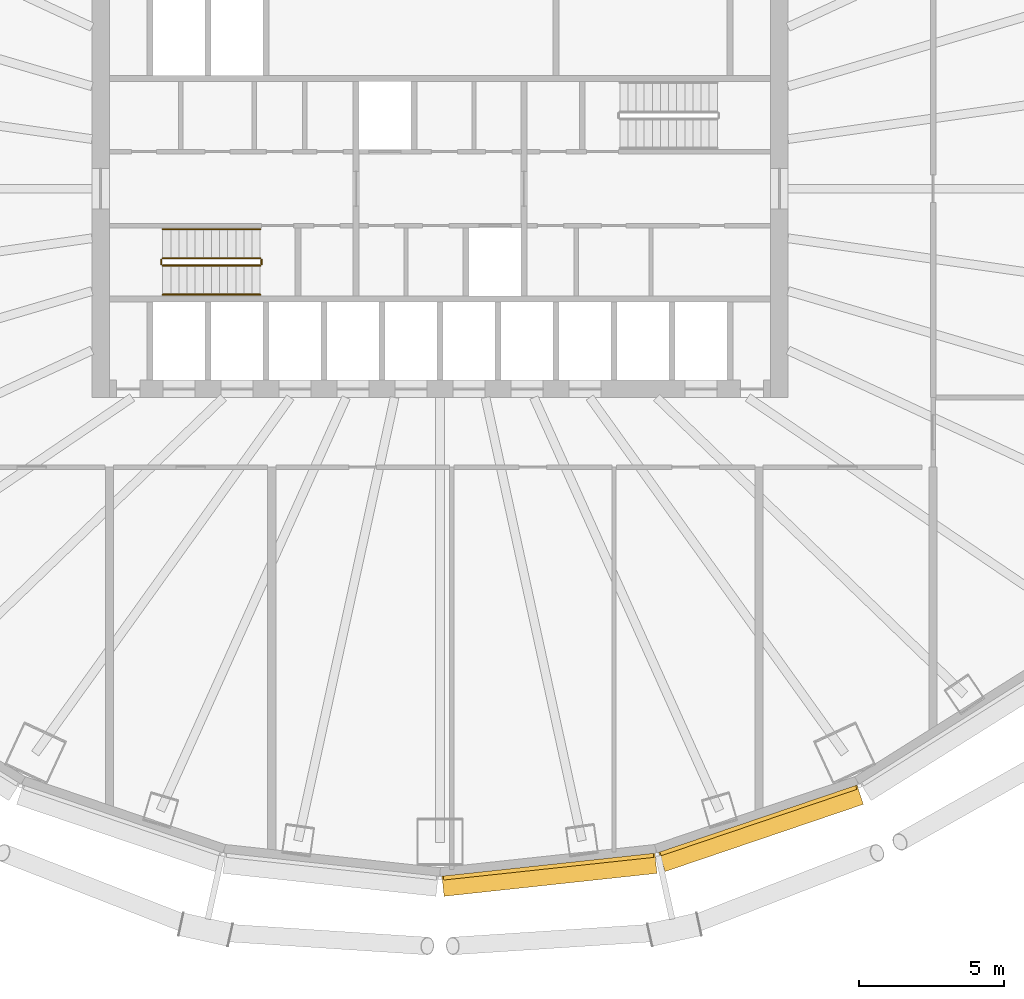
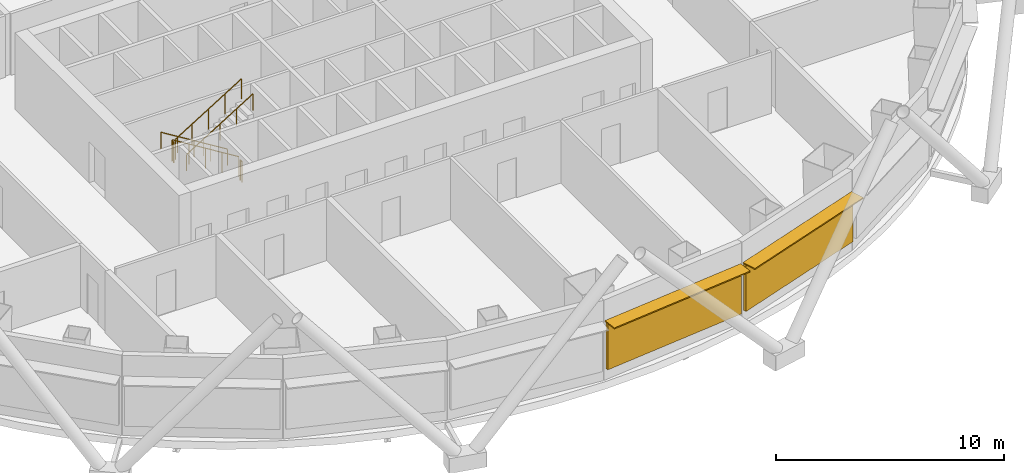
# One storey, part 12 of 14: 6 railings, 4 shading devices.
"""IFC4 building model written with IfcOpenShell, lengths in metres."""

from ifc_helpers import new_model, si_unit, direction, frame, origin, origin_2d, place, context, subcontext, project, spatial, rectangle, circle, extrude, material, layer, layer_set, type_object, element, save


model = new_model("IFC4")

# Units and contexts
model_context = context("Model", 3, precision=1e-05, world=origin(), true_north=direction((0.0, 1.0)))
body_context = subcontext(model_context, "Body", "Model", "MODEL_VIEW")
ifc_project = project(units=[si_unit("LENGTHUNIT", "METRE"), si_unit("AREAUNIT", "SQUARE_METRE"), si_unit("VOLUMEUNIT", "CUBIC_METRE"), si_unit("PLANEANGLEUNIT", "RADIAN"), si_unit("MASSUNIT", "GRAM", prefix="KILO")], contexts=[model_context])

# Site, building, storey
site_placement = place(None, origin())
site = spatial("IfcSite", under=ifc_project, at=site_placement, CompositionType="ELEMENT")
building_placement = place(site_placement, origin())
building = spatial("IfcBuilding", under=site, at=building_placement, Name="Siaravel Broadcast Tower", CompositionType="ELEMENT")
storey_placement = place(building_placement, frame((0.0, 0.0, 20.0)))
storey = spatial("IfcBuildingStorey", under=building, at=storey_placement, Name="L03", CompositionType="ELEMENT", Elevation=20.0)

# Shading devices
ifc_material_1 = material(Name="Bronze anodised aluminium", Category="aluminium")
ifc_layer_1 = layer(ifc_material_1, 0.06005859375)
ifc_layer_set_1 = layer_set([ifc_layer_1], Name="Bronze anodised aluminium")
shading_device_type_1 = type_object("IfcShadingDeviceType", Name="Brise-soleil band", PredefinedType="USERDEFINED", material=ifc_layer_set_1)
shading_device_1_placement = place(storey_placement, frame((3.772705078125, -23.652099609375, 3.1298828125), z_axis=(0.0, 0.0, 1.0), x_axis=(0.994235667, 0.107216783, 0.0)))
element("IfcShadingDevice", 1, at=shading_device_1_placement, inside=storey, type_object=shading_device_type_1, Name="L03 brise-soleil band 19", ObjectType="SUNSHADE", PredefinedType="USERDEFINED", context=body_context, shape_type="SweptSolid", body=[
    extrude(rectangle(XDim=7.3818359375, YDim=0.699951171875, at=origin_2d()), origin(), (0.0, 0.0, 1.0), 0.06005859375),
])
shading_device_2_placement = place(storey_placement, frame((11.06494140625, -22.051513671875, 3.1298828125), z_axis=(0.0, 0.0, 1.0), x_axis=(0.946977245, 0.321300635, 0.0)))
element("IfcShadingDevice", 2, at=shading_device_2_placement, inside=storey, type_object=shading_device_type_1, Name="L03 brise-soleil band 20", ObjectType="SUNSHADE", PredefinedType="USERDEFINED", context=body_context, shape_type="SweptSolid", body=[
    extrude(rectangle(XDim=7.220703125, YDim=0.699951171875, at=origin_2d()), origin(), (0.0, 0.0, 1.0), 0.06005859375),
])
ifc_material_2 = material(Name="Precast concrete C40/50", Category="concrete")
ifc_layer_2 = layer(ifc_material_2, 0.139892578125)
ifc_layer_set_2 = layer_set([ifc_layer_2], Name="Precast concrete C40/50")
shading_device_type_2 = type_object("IfcShadingDeviceType", Name="Cobogo screen", PredefinedType="USERDEFINED", material=ifc_layer_set_2)
shading_device_3_placement = place(storey_placement, frame((3.74267578125, -23.373779296875, 0.60009765625), z_axis=(0.0, 0.0, 1.0), x_axis=(0.994235667, 0.107216783, 0.0)))
element("IfcShadingDevice", 3, at=shading_device_3_placement, inside=storey, type_object=shading_device_type_2, Name="L03 cobogo screen 19", ObjectType="SCREEN", PredefinedType="USERDEFINED", context=body_context, shape_type="SweptSolid", body=[
    extrude(rectangle(XDim=7.28173828125, YDim=0.139892578125, at=origin_2d()), origin(), (0.0, 0.0, 1.0), 2.5),
])
shading_device_4_placement = place(storey_placement, frame((10.97509765625, -21.786376953125, 0.60009765625), z_axis=(0.0, 0.0, 1.0), x_axis=(0.946977245, 0.321300635, 0.0)))
element("IfcShadingDevice", 4, at=shading_device_4_placement, inside=storey, type_object=shading_device_type_2, Name="L03 cobogo screen 20", ObjectType="SCREEN", PredefinedType="USERDEFINED", context=body_context, shape_type="SweptSolid", body=[
    extrude(rectangle(XDim=7.12060546875, YDim=0.139892578125, at=origin_2d()), origin(), (0.0, 0.0, 1.0), 2.5),
])

# Railings
ifc_material_3 = material(Name="Stainless steel 316L", Category="steel")
railing_type_1 = type_object("IfcRailingType", Name="Stair guard 1100", PredefinedType="GUARDRAIL", material=ifc_material_3)
railing_1_placement = place(storey_placement, frame((-6.199951171875, -2.39990234375, 0.173095703125)))
element("IfcRailing", 5, at=railing_1_placement, inside=storey, type_object=railing_type_1, Name="L03 ST-1 stair guard 1", PredefinedType="GUARDRAIL", context=body_context, shape_type="SweptSolid", body=[
    extrude(circle(Radius=0.02392578125, at=origin_2d()), frame((0.0, 0.0, 1.076171875), z_axis=(-0.850623217, 0.0, 0.525775754), x_axis=(0.0, -1.0, 0.0)), (0.0, 0.0, 1.0), 3.9501953125),
    extrude(circle(Radius=0.02099609375, at=origin_2d()), origin(), (0.0, 0.0, 1.0), 1.052001953125),
    extrude(circle(Radius=0.02099609375, at=origin_2d()), frame((-0.840087890625, 0.0, 0.519287109375)), (0.0, 0.0, 1.0), 1.052001953125),
    extrude(circle(Radius=0.02099609375, at=origin_2d()), frame((-1.68017578125, 0.0, 1.03857421875)), (0.0, 0.0, 1.0), 1.052001953125),
    extrude(circle(Radius=0.02099609375, at=origin_2d()), frame((-2.52001953125, 0.0, 1.5576171875)), (0.0, 0.0, 1.0), 1.052001953125),
    extrude(circle(Radius=0.02099609375, at=origin_2d()), frame((-3.360107421875, 0.0, 2.076904296875)), (0.0, 0.0, 1.0), 1.052001953125),
])
railing_2_placement = place(storey_placement, frame((-9.610107421875, -2.449951171875, 2.25)))
element("IfcRailing", 6, at=railing_2_placement, inside=storey, type_object=railing_type_1, Name="L03 ST-1 stair guard 2", PredefinedType="GUARDRAIL", context=body_context, shape_type="SweptSolid", body=[
    extrude(circle(Radius=0.02392578125, at=origin_2d()), frame((0.0, 0.0, 1.076171875), z_axis=(0.0, -1.0, 0.0), x_axis=(1.0, 0.0, 0.0)), (0.0, 0.0, 1.0), 0.150146484375),
    extrude(circle(Radius=0.02099609375, at=origin_2d()), origin(), (0.0, 0.0, 1.0), 1.052001953125),
    extrude(circle(Radius=0.02099609375, at=origin_2d()), frame((0.0, -0.150146484375, 0.0)), (0.0, 0.0, 1.0), 1.052001953125),
])
railing_3_placement = place(storey_placement, frame((-9.56005859375, -2.64990234375, 2.423095703125)))
element("IfcRailing", 7, at=railing_3_placement, inside=storey, type_object=railing_type_1, Name="L03 ST-1 stair guard 3", PredefinedType="GUARDRAIL", context=body_context, shape_type="SweptSolid", body=[
    extrude(circle(Radius=0.02392578125, at=origin_2d()), frame((0.0, 0.0, 1.076171875), z_axis=(0.850623217, 0.0, 0.525775754), x_axis=(0.0, 1.0, 0.0)), (0.0, 0.0, 1.0), 3.9501953125),
    extrude(circle(Radius=0.02099609375, at=origin_2d()), origin(), (0.0, 0.0, 1.0), 1.052001953125),
    extrude(circle(Radius=0.02099609375, at=origin_2d()), frame((0.840087890625, 0.0, 0.519287109375)), (0.0, 0.0, 1.0), 1.052001953125),
    extrude(circle(Radius=0.02099609375, at=origin_2d()), frame((1.68017578125, 0.0, 1.03857421875)), (0.0, 0.0, 1.0), 1.052001953125),
    extrude(circle(Radius=0.02099609375, at=origin_2d()), frame((2.52001953125, 0.0, 1.5576171875)), (0.0, 0.0, 1.0), 1.052001953125),
    extrude(circle(Radius=0.02099609375, at=origin_2d()), frame((3.360107421875, 0.0, 2.076904296875)), (0.0, 0.0, 1.0), 1.052001953125),
])
railing_4_placement = place(storey_placement, frame((-6.14990234375, -2.449951171875, 0.0)))
element("IfcRailing", 8, at=railing_4_placement, inside=storey, type_object=railing_type_1, Name="L03 ST-1 stair guard 4", PredefinedType="GUARDRAIL", context=body_context, shape_type="SweptSolid", body=[
    extrude(circle(Radius=0.02392578125, at=origin_2d()), frame((0.0, 0.0, 1.076171875), z_axis=(0.0, -1.0, 0.0), x_axis=(1.0, 0.0, 0.0)), (0.0, 0.0, 1.0), 0.150146484375),
    extrude(circle(Radius=0.02099609375, at=origin_2d()), origin(), (0.0, 0.0, 1.0), 1.052001953125),
    extrude(circle(Radius=0.02099609375, at=origin_2d()), frame((0.0, -0.150146484375, 0.0)), (0.0, 0.0, 1.0), 1.052001953125),
])
railing_type_2 = type_object("IfcRailingType", Name="Stair handrail 900", PredefinedType="HANDRAIL", material=ifc_material_3)
railing_5_placement = place(storey_placement, frame((-6.199951171875, -1.39990234375, 0.173095703125)))
element("IfcRailing", 9, at=railing_5_placement, inside=storey, type_object=railing_type_2, Name="L03 ST-1 stair handrail 1", PredefinedType="HANDRAIL", context=body_context, shape_type="SweptSolid", body=[
    extrude(circle(Radius=0.02392578125, at=origin_2d()), frame((0.0, 0.0, 0.8759765625), z_axis=(-0.850623217, 0.0, 0.525775754), x_axis=(0.0, -1.0, 0.0)), (0.0, 0.0, 1.0), 3.9501953125),
    extrude(circle(Radius=0.02099609375, at=origin_2d()), origin(), (0.0, 0.0, 1.0), 0.851806640625),
    extrude(circle(Radius=0.02099609375, at=origin_2d()), frame((-0.840087890625, 0.0, 0.519287109375)), (0.0, 0.0, 1.0), 0.851806640625),
    extrude(circle(Radius=0.02099609375, at=origin_2d()), frame((-1.68017578125, 0.0, 1.03857421875)), (0.0, 0.0, 1.0), 0.851806640625),
    extrude(circle(Radius=0.02099609375, at=origin_2d()), frame((-2.52001953125, 0.0, 1.5576171875)), (0.0, 0.0, 1.0), 0.851806640625),
    extrude(circle(Radius=0.02099609375, at=origin_2d()), frame((-3.360107421875, 0.0, 2.076904296875)), (0.0, 0.0, 1.0), 0.851806640625),
])
railing_6_placement = place(storey_placement, frame((-9.56005859375, -3.64990234375, 2.423095703125)))
element("IfcRailing", 10, at=railing_6_placement, inside=storey, type_object=railing_type_2, Name="L03 ST-1 stair handrail 2", PredefinedType="HANDRAIL", context=body_context, shape_type="SweptSolid", body=[
    extrude(circle(Radius=0.02392578125, at=origin_2d()), frame((0.0, 0.0, 0.8759765625), z_axis=(0.850623217, 0.0, 0.525775754), x_axis=(0.0, 1.0, 0.0)), (0.0, 0.0, 1.0), 3.9501953125),
    extrude(circle(Radius=0.02099609375, at=origin_2d()), origin(), (0.0, 0.0, 1.0), 0.851806640625),
    extrude(circle(Radius=0.02099609375, at=origin_2d()), frame((0.840087890625, 0.0, 0.519287109375)), (0.0, 0.0, 1.0), 0.851806640625),
    extrude(circle(Radius=0.02099609375, at=origin_2d()), frame((1.68017578125, 0.0, 1.03857421875)), (0.0, 0.0, 1.0), 0.851806640625),
    extrude(circle(Radius=0.02099609375, at=origin_2d()), frame((2.52001953125, 0.0, 1.5576171875)), (0.0, 0.0, 1.0), 0.851806640625),
    extrude(circle(Radius=0.02099609375, at=origin_2d()), frame((3.360107421875, 0.0, 2.076904296875)), (0.0, 0.0, 1.0), 0.851806640625),
])

save(model, "model.ifc")
